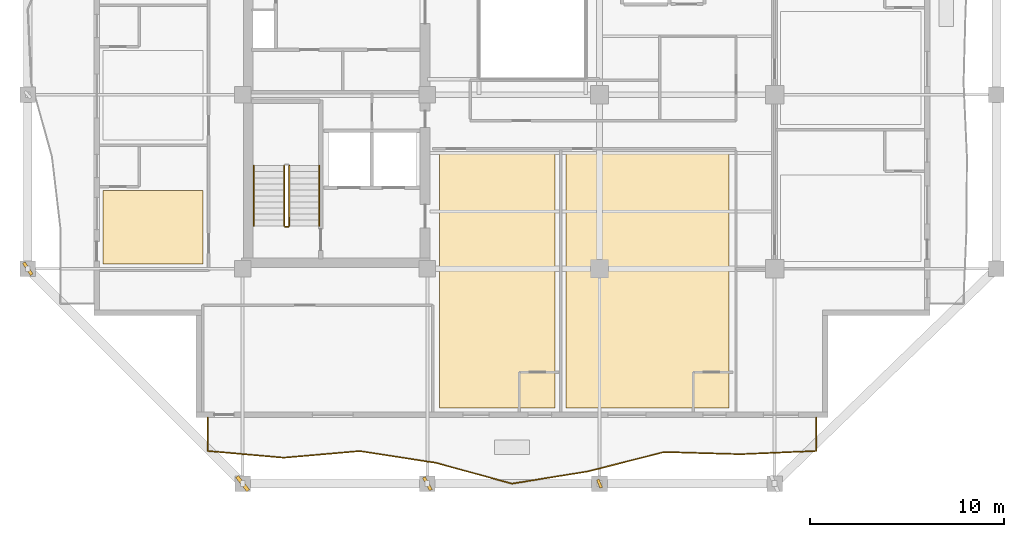
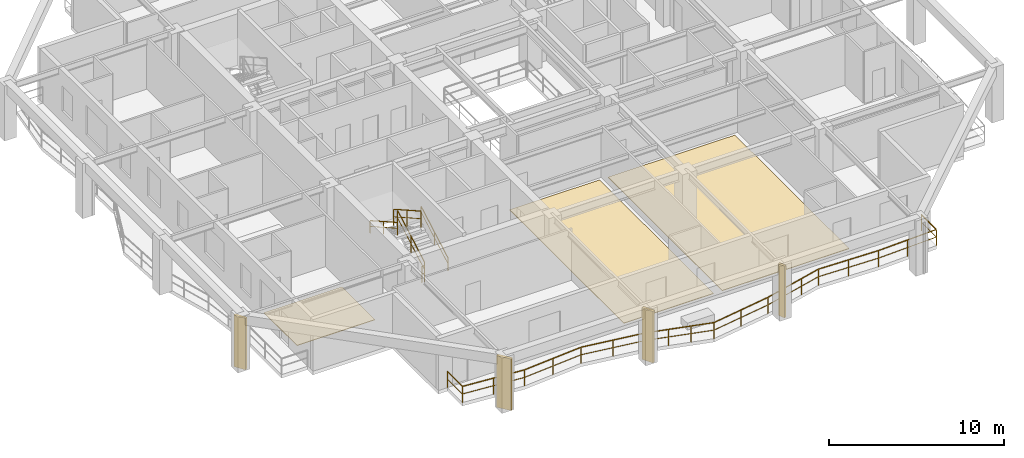
# One storey, part 8 of 13: 6 railings, 4 shading devices, 3 coverings.
"""IFC4 building model written with IfcOpenShell, lengths in metres."""

import ifcopenshell
import ifcopenshell.guid

model = None  # the IFC model being written
_history = None  # IfcOwnerHistory: only IFC2X3 demands one
_inside = {}  # id of a spatial element -> (the spatial element, [elements in it])
_under = {}  # id of a project, library or spatial element -> (it, [spatial elements below it])
_declared = {}  # id of a project -> (the project, [libraries it declares])
_typed = {}  # id of a type object -> (the type object, [elements of that type])
_made_of = {}  # id of a material, layer set ... -> (it, [elements and type objects made of it])


def new_model(schema):
    """Start an empty IFC model of exactly this schema.

    Asked for "IFC4X3", IfcOpenShell would pick the latest addendum, in which some entities
    have other attributes; the version numbers below select the first issue.
    IFC2X3 requires an IfcOwnerHistory on every rooted entity: one is made here for all.
    """
    global model, _history
    if schema == "IFC4X3":
        model = ifcopenshell.file(schema_version=(4, 3, 0, 0))
    else:
        model = ifcopenshell.file(schema=schema)
    _inside.clear()
    _under.clear()
    _declared.clear()
    _typed.clear()
    _made_of.clear()
    _history = None
    if model.schema == "IFC2X3":
        org = make("IfcOrganization", Name="unknown")
        user = make(
            "IfcPersonAndOrganization",
            ThePerson=make("IfcPerson", FamilyName="unknown"),
            TheOrganization=org,
        )
        app = make(
            "IfcApplication",
            ApplicationDeveloper=org,
            Version="unknown",
            ApplicationFullName="unknown",
            ApplicationIdentifier="unknown",
        )
        _history = make(
            "IfcOwnerHistory",
            OwningUser=user,
            OwningApplication=app,
            ChangeAction="ADDED",
            CreationDate=0,
        )
    return model


def make(cls, **values):
    """One entity of the class cls with the attributes given. An attribute that is None is left unset."""
    return model.create_entity(
        cls, **{name: value for name, value in values.items() if value is not None}
    )


def rooted(cls, **values):
    """An entity with a GlobalId (a new one), such as an element, a storey or a relation."""
    return make(cls, GlobalId=ifcopenshell.guid.new(), OwnerHistory=_history, **values)


def si_unit(unit_type, name, prefix=None):
    """IfcSIUnit, for example si_unit("LENGTHUNIT", "METRE", prefix="MILLI")."""
    return make("IfcSIUnit", UnitType=unit_type, Prefix=prefix, Name=name)


def assignment(units):
    """IfcUnitAssignment: the units of a project."""
    return None if units is None else make("IfcUnitAssignment", Units=units)


def point(xyz):
    """IfcCartesianPoint."""
    return None if xyz is None else make("IfcCartesianPoint", Coordinates=xyz)


def direction(xyz):
    """IfcDirection."""
    return None if xyz is None else make("IfcDirection", DirectionRatios=xyz)


def frame(location, z_axis=None, x_axis=None):
    """IfcAxis2Placement3D, a coordinate frame: its origin and axes. An axis left out is left unset."""
    return make(
        "IfcAxis2Placement3D",
        Location=point(location),
        Axis=direction(z_axis),
        RefDirection=direction(x_axis),
    )


def frame_2d(location, x_axis=None):
    """IfcAxis2Placement2D, a coordinate frame in the plane: its origin and x axis."""
    return make(
        "IfcAxis2Placement2D", Location=point(location), RefDirection=direction(x_axis)
    )


def origin():
    """The frame at (0, 0, 0) with its axes left unset."""
    return frame((0.0, 0.0, 0.0))


def origin_2d():
    """The frame at (0, 0) in the plane with its x axis left unset."""
    return frame_2d((0.0, 0.0))


def place(relative_to, where):
    """IfcLocalPlacement: puts the frame where relative to a parent placement (None: the world)."""
    return make(
        "IfcLocalPlacement", PlacementRelTo=relative_to, RelativePlacement=where
    )


def context(
    kind, dimensions, precision=None, world=None, true_north=None, identifier=None
):
    """IfcGeometricRepresentationContext, for example the 3D "Model" context."""
    return make(
        "IfcGeometricRepresentationContext",
        ContextIdentifier=identifier,
        ContextType=kind,
        CoordinateSpaceDimension=dimensions,
        Precision=precision,
        WorldCoordinateSystem=world,
        TrueNorth=true_north,
    )


def subcontext(parent, identifier, kind, view, scale=None):
    """IfcGeometricRepresentationSubContext, for example "Body" below "Model"."""
    return make(
        "IfcGeometricRepresentationSubContext",
        ContextIdentifier=identifier,
        ContextType=kind,
        ParentContext=parent,
        TargetScale=scale,
        TargetView=view,
    )


def project(units=None, contexts=None):
    """IfcProject with its units and contexts."""
    return rooted(
        "IfcProject",
        Name="project",
        RepresentationContexts=contexts,
        UnitsInContext=assignment(units),
    )


def spatial(cls, under=None, at=None, **own):
    """A site, building, storey or space (cls), placed at a placement, below another one or the project."""
    s = rooted(cls, ObjectPlacement=at, **own)
    if under is not None:
        _under.setdefault(under.id(), (under, []))[1].append(s)
    return s


def polyline(points):
    """IfcPolyline through the points."""
    return make("IfcPolyline", Points=[point(p) for p in points])


def profile(cls, at=None, kind="AREA", **sizes):
    """A parametric profile (cls). Its sizes go by their IFC names, for example OverallWidth=200.0."""
    return make(cls, ProfileType=kind, Position=at, **sizes)


def rectangle(**sizes):
    """IfcRectangleProfileDef."""
    return profile("IfcRectangleProfileDef", **sizes)


def outline(outer, holes=None, kind="AREA"):
    """IfcArbitraryClosedProfileDef: a profile drawn as a closed curve; with holes, ...WithVoids."""
    if holes is None:
        return make("IfcArbitraryClosedProfileDef", ProfileType=kind, OuterCurve=outer)
    return make(
        "IfcArbitraryProfileDefWithVoids",
        ProfileType=kind,
        OuterCurve=outer,
        InnerCurves=holes,
    )


def extrude(swept, where, along, depth):
    """IfcExtrudedAreaSolid: the profile swept, set in the frame where, extruded along a direction by depth."""
    return make(
        "IfcExtrudedAreaSolid",
        SweptArea=swept,
        Position=where,
        ExtrudedDirection=direction(along),
        Depth=depth,
    )


def shape(context_of_items, identifier, shape_type, items):
    """IfcShapeRepresentation: the items that make up one representation, for example the "Body"."""
    return make(
        "IfcShapeRepresentation",
        ContextOfItems=context_of_items,
        RepresentationIdentifier=identifier,
        RepresentationType=shape_type,
        Items=items,
    )


def material(Name=None, Category=None):
    """IfcMaterial."""
    return make("IfcMaterial", Name=Name, Category=Category)


def layer(
    of_material, thickness, ventilated=None, Name=None, Category=None, Priority=None
):
    """IfcMaterialLayer: one layer of a wall or slab, of a material (None: an air gap)."""
    return make(
        "IfcMaterialLayer",
        Material=of_material,
        LayerThickness=thickness,
        IsVentilated=ventilated,
        Name=Name,
        Category=Category,
        Priority=Priority,
    )


def layer_set(layers, Name=None):
    """IfcMaterialLayerSet."""
    return make("IfcMaterialLayerSet", MaterialLayers=layers, LayerSetName=Name)


def made_of(thing, what):
    """Note that an element or type object is made of a material, layer set ...; save() writes the relation."""
    if what is not None:
        _made_of.setdefault(what.id(), (what, []))[1].append(thing)
    return thing


def type_object(cls, material=None, **own):
    """A type object (cls), such as IfcWallType, which elements share."""
    return made_of(rooted(cls, **own), material)


def element(
    cls,
    number,
    at=None,
    inside=None,
    cuts=None,
    type_object=None,
    material=None,
    context=None,
    identifier="Body",
    shape_type=None,
    held_by="IfcProductDefinitionShape",
    body=None,
    shapes=None,
    **own,
):
    """One element of the class cls, such as IfcWall. Its Tag is "e" and its number.

    at: its placement. inside: the storey or other place that contains it. cuts: it is an
    opening in that element (IfcRelVoidsElement). A single representation is given by context,
    identifier, shape_type and body (its items); several are given by shapes. held_by: the class
    of the entity that holds the representations. save() writes the other relations.
    """
    e = rooted(cls, Tag="e%d" % number, ObjectPlacement=at, **own)
    if body is not None:
        shapes = [shape(context, identifier, shape_type, body)]
    if shapes is not None:
        e.Representation = make(held_by, Representations=shapes)
    if inside is not None:
        _inside.setdefault(inside.id(), (inside, []))[1].append(e)
    if cuts is not None:
        rooted(
            "IfcRelVoidsElement", RelatingBuildingElement=cuts, RelatedOpeningElement=e
        )
    if type_object is not None:
        _typed.setdefault(type_object.id(), (type_object, []))[1].append(e)
    return made_of(e, material)


def aggregate(whole, parts):
    """IfcRelAggregates: a whole, such as a stair, and the parts it consists of."""
    return rooted("IfcRelAggregates", RelatingObject=whole, RelatedObjects=parts)


def save(model, path):
    """Write the relations noted so far, then the file.

    IfcRelAggregates (storeys below a building ...), IfcRelContainedInSpatialStructure (elements
    in a storey), IfcRelDefinesByType, IfcRelAssociatesMaterial and IfcRelDeclares: one each for
    every whole, place, type object, material and project.
    """
    for whole, parts in _under.values():
        aggregate(whole, parts)
    for where, things in _inside.values():
        rooted(
            "IfcRelContainedInSpatialStructure",
            RelatedElements=things,
            RelatingStructure=where,
        )
    for kind, things in _typed.values():
        rooted("IfcRelDefinesByType", RelatedObjects=things, RelatingType=kind)
    for what, things in _made_of.values():
        rooted("IfcRelAssociatesMaterial", RelatedObjects=things, RelatingMaterial=what)
    for by, libraries in _declared.values():
        rooted("IfcRelDeclares", RelatingContext=by, RelatedDefinitions=libraries)
    model.write(path)


model = new_model("IFC4")

# Units and contexts
model_context = context("Model", 3, precision=1e-05, world=origin(), true_north=direction((0.0, 1.0)))
body_context = subcontext(model_context, "Body", "Model", "MODEL_VIEW")
ifc_project = project(units=[si_unit("LENGTHUNIT", "METRE"), si_unit("AREAUNIT", "SQUARE_METRE"), si_unit("VOLUMEUNIT", "CUBIC_METRE"), si_unit("PLANEANGLEUNIT", "RADIAN"), si_unit("MASSUNIT", "GRAM", prefix="KILO")], contexts=[model_context])

# Site, building, storey
site_placement = place(None, origin())
site = spatial("IfcSite", under=ifc_project, at=site_placement, CompositionType="ELEMENT")
building_placement = place(site_placement, origin())
building = spatial("IfcBuilding", under=site, at=building_placement, Name="Kundavana Baori Tower", CompositionType="ELEMENT")
storey_placement = place(building_placement, frame((0.0, 0.0, 165.60009765625)))
storey = spatial("IfcBuildingStorey", under=building, at=storey_placement, Name="L40", CompositionType="ELEMENT", Elevation=165.60009765625)

# Coverings
ifc_material_1 = material(Name="Honed Kota Stone and Terrazzo Flooring", Category="masonry")
ifc_layer = layer(ifc_material_1, 0.0400390625, Name="COV-FLR-TERR-40")
ifc_layer_set = layer_set([ifc_layer], Name="Honed Kota Stone and Terrazzo Flooring")
covering_type = type_object("IfcCoveringType", Name="COV-FLR-TERR-40", PredefinedType="FLOORING", material=ifc_layer_set)
covering_1_placement = place(storey_placement, origin())
element("IfcCovering", 1, at=covering_1_placement, inside=storey, type_object=covering_type, Name="L40 Room Finished Stone Flooring 1", PredefinedType="FLOORING", context=body_context, shape_type="SweptSolid", body=[
    extrude(outline(polyline([(8.280029296875, 15.5), (13.419921875, 15.5), (13.419921875, 19.27001953125), (8.280029296875, 19.27001953125), (8.280029296875, 15.5)])), origin(), (0.0, 0.0, 1.0), 0.039794921875),
])
covering_2_placement = place(storey_placement, origin())
element("IfcCovering", 2, at=covering_2_placement, inside=storey, type_object=covering_type, Name="L40 Room Finished Stone Flooring 5", PredefinedType="FLOORING", context=body_context, shape_type="SweptSolid", body=[
    extrude(outline(polyline([(25.580078125, 8.080078125), (31.52001953125, 8.080078125), (31.52001953125, 21.139892578125), (25.580078125, 21.139892578125), (25.580078125, 8.080078125)])), origin(), (0.0, 0.0, 1.0), 0.039794921875),
])
covering_3_placement = place(storey_placement, origin())
element("IfcCovering", 3, at=covering_3_placement, inside=storey, type_object=covering_type, Name="L40 Room Finished Stone Flooring 6", PredefinedType="FLOORING", context=body_context, shape_type="SweptSolid", body=[
    extrude(outline(polyline([(32.080078125, 8.080078125), (40.4599609375, 8.080078125), (40.4599609375, 21.139892578125), (32.080078125, 21.139892578125), (32.080078125, 8.080078125)])), origin(), (0.0, 0.0, 1.0), 0.039794921875),
])

# Railings
ifc_material_2 = material(Name="Architectural Patinated Bronze Metalwork")
railing_type_1 = type_object("IfcRailingType", Name="RL-BAL-1150", PredefinedType="BALUSTRADE", material=ifc_material_2)
railing_1_placement = place(storey_placement, frame((44.949951171875, 7.60009765625, 0.0)))
element("IfcRailing", 4, at=railing_1_placement, inside=storey, type_object=railing_type_1, Name="L40 Loggia Balcony Balustrade S", PredefinedType="BALUSTRADE", context=body_context, shape_type="SweptSolid", body=[
    extrude(rectangle(XDim=0.048095703125, YDim=0.048095703125, at=origin_2d()), frame((0.0, 0.0, 1.1259765625), z_axis=(0.0, -1.0, 0.0), x_axis=(1.0, 0.0, 0.0)), (0.0, 0.0, 1.0), 1.72021484375),
    extrude(rectangle(XDim=0.03125, YDim=0.03125, at=origin_2d()), frame((0.0, 0.0, 0.597900390625), z_axis=(0.0, -1.0, 0.0), x_axis=(1.0, 0.0, 0.0)), (0.0, 0.0, 1.0), 1.72021484375),
    extrude(rectangle(XDim=0.048095703125, YDim=0.048095703125, at=origin_2d()), frame((0.0, -1.72021484375, 1.1259765625), z_axis=(-0.999090083647, -0.042649792, 0.0), x_axis=(0.042649792, -0.999090083647, 0.0)), (0.0, 0.0, 1.0), 3.91552734375),
    extrude(rectangle(XDim=0.03125, YDim=0.03125, at=origin_2d()), frame((0.0, -1.72021484375, 0.597900390625), z_axis=(-0.999090083647, -0.042649792, 0.0), x_axis=(0.042649792, -0.999090083647, 0.0)), (0.0, 0.0, 1.0), 3.91552734375),
    extrude(rectangle(XDim=0.048095703125, YDim=0.048095703125, at=origin_2d()), frame((-3.911865234375, -1.88720703125, 1.1259765625), z_axis=(-0.999583033059, 0.028874902939, 0.0), x_axis=(-0.028874902939, -0.999583033059, 0.0)), (0.0, 0.0, 1.0), 3.914794921875),
    extrude(rectangle(XDim=0.03125, YDim=0.03125, at=origin_2d()), frame((-3.911865234375, -1.88720703125, 0.597900390625), z_axis=(-0.999583033059, 0.028874902939, 0.0), x_axis=(-0.028874902939, -0.999583033059, 0.0)), (0.0, 0.0, 1.0), 3.914794921875),
    extrude(rectangle(XDim=0.048095703125, YDim=0.048095703125, at=origin_2d()), frame((-7.824951171875, -1.774169921875, 1.1259765625), z_axis=(-0.969152617232, -0.246461365153, 0.0), x_axis=(0.246461365153, -0.969152617232, 0.0)), (0.0, 0.0, 1.0), 4.03662109375),
    extrude(rectangle(XDim=0.03125, YDim=0.03125, at=origin_2d()), frame((-7.824951171875, -1.774169921875, 0.597900390625), z_axis=(-0.969152617232, -0.246461365153, 0.0), x_axis=(0.246461365153, -0.969152617232, 0.0)), (0.0, 0.0, 1.0), 4.03662109375),
    extrude(rectangle(XDim=0.048095703125, YDim=0.048095703125, at=origin_2d()), frame((-11.737060546875, -2.76904296875, 1.1259765625), z_axis=(-0.987241120713, -0.159232438825, 0.0), x_axis=(0.159232438825, -0.987241120713, 0.0)), (0.0, 0.0, 1.0), 3.96337890625),
    extrude(rectangle(XDim=0.03125, YDim=0.03125, at=origin_2d()), frame((-11.737060546875, -2.76904296875, 0.597900390625), z_axis=(-0.987241120713, -0.159232438825, 0.0), x_axis=(0.159232438825, -0.987241120713, 0.0)), (0.0, 0.0, 1.0), 3.96337890625),
    extrude(rectangle(XDim=0.048095703125, YDim=0.048095703125, at=origin_2d()), frame((-15.64990234375, -3.400146484375, 1.1259765625), z_axis=(-0.964567688051, 0.263835507784, 0.0), x_axis=(-0.263835507784, -0.964567688051, 0.0)), (0.0, 0.0, 1.0), 4.055908203125),
    extrude(rectangle(XDim=0.03125, YDim=0.03125, at=origin_2d()), frame((-15.64990234375, -3.400146484375, 0.597900390625), z_axis=(-0.964567688051, 0.263835507784, 0.0), x_axis=(-0.263835507784, -0.964567688051, 0.0)), (0.0, 0.0, 1.0), 4.055908203125),
    extrude(rectangle(XDim=0.048095703125, YDim=0.048095703125, at=origin_2d()), frame((-19.56201171875, -2.330078125, 1.1259765625), z_axis=(-0.988294579625, 0.15255760841, 0.0), x_axis=(-0.15255760841, -0.988294579625, 0.0)), (0.0, 0.0, 1.0), 3.959228515625),
    extrude(rectangle(XDim=0.03125, YDim=0.03125, at=origin_2d()), frame((-19.56201171875, -2.330078125, 0.597900390625), z_axis=(-0.988294579625, 0.15255760841, 0.0), x_axis=(-0.15255760841, -0.988294579625, 0.0)), (0.0, 0.0, 1.0), 3.959228515625),
    extrude(rectangle(XDim=0.048095703125, YDim=0.048095703125, at=origin_2d()), frame((-23.474853515625, -1.72607421875, 1.1259765625), z_axis=(-0.996265968205, -0.086337249179, 0.0), x_axis=(0.086337249179, -0.996265968205, 0.0)), (0.0, 0.0, 1.0), 3.927734375),
    extrude(rectangle(XDim=0.03125, YDim=0.03125, at=origin_2d()), frame((-23.474853515625, -1.72607421875, 0.597900390625), z_axis=(-0.996265968205, -0.086337249179, 0.0), x_axis=(0.086337249179, -0.996265968205, 0.0)), (0.0, 0.0, 1.0), 3.927734375),
    extrude(rectangle(XDim=0.048095703125, YDim=0.048095703125, at=origin_2d()), frame((-27.387939453125, -2.065185546875, 1.1259765625), z_axis=(-0.996134650998, 0.087839382293, 0.0), x_axis=(-0.087839382293, -0.996134650998, 0.0)), (0.0, 0.0, 1.0), 3.92724609375),
    extrude(rectangle(XDim=0.03125, YDim=0.03125, at=origin_2d()), frame((-27.387939453125, -2.065185546875, 0.597900390625), z_axis=(-0.996134650998, 0.087839382293, 0.0), x_axis=(-0.087839382293, -0.996134650998, 0.0)), (0.0, 0.0, 1.0), 3.92724609375),
    extrude(rectangle(XDim=0.048095703125, YDim=0.048095703125, at=origin_2d()), frame((-31.300048828125, -1.72021484375, 1.1259765625), z_axis=(0.0, 1.0, 0.0), x_axis=(-1.0, 0.0, 0.0)), (0.0, 0.0, 1.0), 1.72021484375),
    extrude(rectangle(XDim=0.03125, YDim=0.03125, at=origin_2d()), frame((-31.300048828125, -1.72021484375, 0.597900390625), z_axis=(0.0, 1.0, 0.0), x_axis=(-1.0, 0.0, 0.0)), (0.0, 0.0, 1.0), 1.72021484375),
    extrude(rectangle(XDim=0.0419921875, YDim=0.0419921875, at=origin_2d()), origin(), (0.0, 0.0, 1.0), 1.101806640625),
    extrude(rectangle(XDim=0.0419921875, YDim=0.0419921875, at=origin_2d()), frame((0.0, -1.72021484375, 0.0)), (0.0, 0.0, 1.0), 1.101806640625),
    extrude(rectangle(XDim=0.0419921875, YDim=0.0419921875, at=origin_2d()), frame((-1.9560546875, -1.8037109375, 0.0)), (0.0, 0.0, 1.0), 1.101806640625),
    extrude(rectangle(XDim=0.0419921875, YDim=0.0419921875, at=origin_2d()), frame((-3.911865234375, -1.88720703125, 0.0)), (0.0, 0.0, 1.0), 1.101806640625),
    extrude(rectangle(XDim=0.0419921875, YDim=0.0419921875, at=origin_2d()), frame((-5.868408203125, -1.83056640625, 0.0)), (0.0, 0.0, 1.0), 1.101806640625),
    extrude(rectangle(XDim=0.0419921875, YDim=0.0419921875, at=origin_2d()), frame((-7.824951171875, -1.774169921875, 0.0)), (0.0, 0.0, 1.0), 1.101806640625),
    extrude(rectangle(XDim=0.0419921875, YDim=0.0419921875, at=origin_2d()), frame((-9.12890625, -2.105712890625, 0.0)), (0.0, 0.0, 1.0), 1.101806640625),
    extrude(rectangle(XDim=0.0419921875, YDim=0.0419921875, at=origin_2d()), frame((-10.43310546875, -2.4375, 0.0)), (0.0, 0.0, 1.0), 1.101806640625),
    extrude(rectangle(XDim=0.0419921875, YDim=0.0419921875, at=origin_2d()), frame((-11.737060546875, -2.76904296875, 0.0)), (0.0, 0.0, 1.0), 1.101806640625),
    extrude(rectangle(XDim=0.0419921875, YDim=0.0419921875, at=origin_2d()), frame((-13.693359375, -3.08447265625, 0.0)), (0.0, 0.0, 1.0), 1.101806640625),
    extrude(rectangle(XDim=0.0419921875, YDim=0.0419921875, at=origin_2d()), frame((-15.64990234375, -3.400146484375, 0.0)), (0.0, 0.0, 1.0), 1.101806640625),
    extrude(rectangle(XDim=0.0419921875, YDim=0.0419921875, at=origin_2d()), frame((-16.953857421875, -3.04345703125, 0.0)), (0.0, 0.0, 1.0), 1.101806640625),
    extrude(rectangle(XDim=0.0419921875, YDim=0.0419921875, at=origin_2d()), frame((-18.258056640625, -2.686767578125, 0.0)), (0.0, 0.0, 1.0), 1.101806640625),
    extrude(rectangle(XDim=0.0419921875, YDim=0.0419921875, at=origin_2d()), frame((-19.56201171875, -2.330078125, 0.0)), (0.0, 0.0, 1.0), 1.101806640625),
    extrude(rectangle(XDim=0.0419921875, YDim=0.0419921875, at=origin_2d()), frame((-21.5185546875, -2.028076171875, 0.0)), (0.0, 0.0, 1.0), 1.101806640625),
    extrude(rectangle(XDim=0.0419921875, YDim=0.0419921875, at=origin_2d()), frame((-23.474853515625, -1.72607421875, 0.0)), (0.0, 0.0, 1.0), 1.101806640625),
    extrude(rectangle(XDim=0.0419921875, YDim=0.0419921875, at=origin_2d()), frame((-25.431396484375, -1.8955078125, 0.0)), (0.0, 0.0, 1.0), 1.101806640625),
    extrude(rectangle(XDim=0.0419921875, YDim=0.0419921875, at=origin_2d()), frame((-27.387939453125, -2.065185546875, 0.0)), (0.0, 0.0, 1.0), 1.101806640625),
    extrude(rectangle(XDim=0.0419921875, YDim=0.0419921875, at=origin_2d()), frame((-29.343994140625, -1.892578125, 0.0)), (0.0, 0.0, 1.0), 1.101806640625),
    extrude(rectangle(XDim=0.0419921875, YDim=0.0419921875, at=origin_2d()), frame((-31.300048828125, -1.72021484375, 0.0)), (0.0, 0.0, 1.0), 1.101806640625),
    extrude(rectangle(XDim=0.0419921875, YDim=0.0419921875, at=origin_2d()), frame((-31.300048828125, 0.0, 0.0)), (0.0, 0.0, 1.0), 1.101806640625),
])
ifc_material_3 = material(Name="Architectural Patinated Bronze Metalwork")
railing_type_2 = type_object("IfcRailingType", Name="RL-GRD-1150", PredefinedType="GUARDRAIL", material=ifc_material_3)
railing_2_placement = place(storey_placement, frame((17.840087890625, 17.449951171875, 0.1748046875)))
element("IfcRailing", 5, at=railing_2_placement, inside=storey, type_object=railing_type_2, Name="L40 ST1 stair guard 1", PredefinedType="GUARDRAIL", context=body_context, shape_type="SweptSolid", body=[
    extrude(rectangle(XDim=0.048095703125, YDim=0.048095703125, at=origin_2d()), frame((0.0, 0.0, 1.1259765625), z_axis=(0.0, 0.870830938388, 0.491582624537), x_axis=(-1.0, 0.0, 0.0)), (0.0, 0.0, 1.0), 3.559814453125),
    extrude(rectangle(XDim=0.03125, YDim=0.03125, at=origin_2d()), frame((0.0, 0.0, 0.597900390625), z_axis=(0.0, 0.870830938388, 0.491582624537), x_axis=(-1.0, 0.0, 0.0)), (0.0, 0.0, 1.0), 3.559814453125),
    extrude(rectangle(XDim=0.0419921875, YDim=0.0419921875, at=origin_2d()), origin(), (0.0, 0.0, 1.0), 1.101806640625),
    extrude(rectangle(XDim=0.0419921875, YDim=0.0419921875, at=origin_2d()), frame((0.0, 1.550048828125, 0.875)), (0.0, 0.0, 1.0), 1.101806640625),
    extrude(rectangle(XDim=0.0419921875, YDim=0.0419921875, at=origin_2d()), frame((0.0, 3.10009765625, 1.75)), (0.0, 0.0, 1.0), 1.101806640625),
])
railing_3_placement = place(storey_placement, frame((17.580078125, 20.550048828125, 2.099853515625)))
element("IfcRailing", 6, at=railing_3_placement, inside=storey, type_object=railing_type_2, Name="L40 ST1 stair guard 3", PredefinedType="GUARDRAIL", context=body_context, shape_type="SweptSolid", body=[
    extrude(rectangle(XDim=0.048095703125, YDim=0.048095703125, at=origin_2d()), frame((0.0, 0.0, 1.1259765625), z_axis=(0.0, -0.870830938388, 0.491582624537), x_axis=(1.0, 0.0, 0.0)), (0.0, 0.0, 1.0), 3.559814453125),
    extrude(rectangle(XDim=0.03125, YDim=0.03125, at=origin_2d()), frame((0.0, 0.0, 0.597900390625), z_axis=(0.0, -0.870830938388, 0.491582624537), x_axis=(1.0, 0.0, 0.0)), (0.0, 0.0, 1.0), 3.559814453125),
    extrude(rectangle(XDim=0.0419921875, YDim=0.0419921875, at=origin_2d()), origin(), (0.0, 0.0, 1.0), 1.101806640625),
    extrude(rectangle(XDim=0.0419921875, YDim=0.0419921875, at=origin_2d()), frame((0.0, -1.550048828125, 0.875)), (0.0, 0.0, 1.0), 1.101806640625),
    extrude(rectangle(XDim=0.0419921875, YDim=0.0419921875, at=origin_2d()), frame((0.0, -3.10009765625, 1.75)), (0.0, 0.0, 1.0), 1.101806640625),
])
railing_4_placement = place(storey_placement, frame((17.7900390625, 17.39990234375, 0.0)))
element("IfcRailing", 7, at=railing_4_placement, inside=storey, type_object=railing_type_2, Name="L40 ST1 stair guard 4", PredefinedType="GUARDRAIL", context=body_context, shape_type="SweptSolid", body=[
    extrude(rectangle(XDim=0.048095703125, YDim=0.048095703125, at=origin_2d()), frame((0.0, 0.0, 1.1259765625), z_axis=(-1.0, 0.0, 0.0), x_axis=(0.0, -1.0, 0.0)), (0.0, 0.0, 1.0), 0.16015625),
    extrude(rectangle(XDim=0.03125, YDim=0.03125, at=origin_2d()), frame((0.0, 0.0, 0.597900390625), z_axis=(-1.0, 0.0, 0.0), x_axis=(0.0, -1.0, 0.0)), (0.0, 0.0, 1.0), 0.16015625),
    extrude(rectangle(XDim=0.0419921875, YDim=0.0419921875, at=origin_2d()), origin(), (0.0, 0.0, 1.0), 1.101806640625),
    extrude(rectangle(XDim=0.0419921875, YDim=0.0419921875, at=origin_2d()), frame((-0.16015625, 0.0, 0.0)), (0.0, 0.0, 1.0), 1.101806640625),
])
ifc_material_4 = material(Name="Architectural Patinated Bronze Metalwork")
railing_type_3 = type_object("IfcRailingType", Name="RL-HND-920", PredefinedType="HANDRAIL", material=ifc_material_4)
railing_5_placement = place(storey_placement, frame((19.389892578125, 17.449951171875, 0.1748046875)))
element("IfcRailing", 8, at=railing_5_placement, inside=storey, type_object=railing_type_3, Name="L40 ST1 stair handrail 1", PredefinedType="HANDRAIL", context=body_context, shape_type="SweptSolid", body=[
    extrude(rectangle(XDim=0.048095703125, YDim=0.048095703125, at=origin_2d()), frame((0.0, 0.0, 0.8759765625), z_axis=(0.0, 0.870830938388, 0.491582624537), x_axis=(-1.0, 0.0, 0.0)), (0.0, 0.0, 1.0), 3.559814453125),
    extrude(rectangle(XDim=0.03125, YDim=0.03125, at=origin_2d()), frame((0.0, 0.0, 0.468017578125), z_axis=(0.0, 0.870830938388, 0.491582624537), x_axis=(-1.0, 0.0, 0.0)), (0.0, 0.0, 1.0), 3.559814453125),
    extrude(rectangle(XDim=0.0419921875, YDim=0.0419921875, at=origin_2d()), origin(), (0.0, 0.0, 1.0), 0.851806640625),
    extrude(rectangle(XDim=0.0419921875, YDim=0.0419921875, at=origin_2d()), frame((0.0, 1.550048828125, 0.875)), (0.0, 0.0, 1.0), 0.851806640625),
    extrude(rectangle(XDim=0.0419921875, YDim=0.0419921875, at=origin_2d()), frame((0.0, 3.10009765625, 1.75)), (0.0, 0.0, 1.0), 0.851806640625),
])
railing_6_placement = place(storey_placement, frame((16.030029296875, 20.550048828125, 2.099853515625)))
element("IfcRailing", 9, at=railing_6_placement, inside=storey, type_object=railing_type_3, Name="L40 ST1 stair handrail 2", PredefinedType="HANDRAIL", context=body_context, shape_type="SweptSolid", body=[
    extrude(rectangle(XDim=0.048095703125, YDim=0.048095703125, at=origin_2d()), frame((0.0, 0.0, 0.8759765625), z_axis=(0.0, -0.870830938388, 0.491582624537), x_axis=(1.0, 0.0, 0.0)), (0.0, 0.0, 1.0), 3.559814453125),
    extrude(rectangle(XDim=0.03125, YDim=0.03125, at=origin_2d()), frame((0.0, 0.0, 0.468017578125), z_axis=(0.0, -0.870830938388, 0.491582624537), x_axis=(1.0, 0.0, 0.0)), (0.0, 0.0, 1.0), 3.559814453125),
    extrude(rectangle(XDim=0.0419921875, YDim=0.0419921875, at=origin_2d()), origin(), (0.0, 0.0, 1.0), 0.851806640625),
    extrude(rectangle(XDim=0.0419921875, YDim=0.0419921875, at=origin_2d()), frame((0.0, -1.550048828125, 0.875)), (0.0, 0.0, 1.0), 0.851806640625),
    extrude(rectangle(XDim=0.0419921875, YDim=0.0419921875, at=origin_2d()), frame((0.0, -3.10009765625, 1.75)), (0.0, 0.0, 1.0), 0.851806640625),
])

# Shading devices
ifc_material_5 = material(Name="Red-Buff Dholpur Sandstone Cladding on Concrete C40/50", Category="masonry")
shading_device_type_1 = type_object("IfcShadingDeviceType", Name="SHD-FIN-750", PredefinedType="JALOUSIE", material=ifc_material_5)
for number, where, z_axis, x_axis, name in (
    (10, (24.949951171875, 4.199951171875, -0.000244140625), (0.0, 0.0, 1.0), (0.873602406733, 0.486640354832, 0.0), "L40 Sweeping Dholpur Sandstone Facade Fin 2"),
    (11, (4.39990234375, 15.25, -0.000244140625), (0.0, 0.0, 1.0), (0.833885822067, 0.551936985312, 0.0), "L40 Sweeping Dholpur Sandstone Facade Fin 5"),
):
    element("IfcShadingDevice", number, at=place(storey_placement, frame(where, z_axis=z_axis, x_axis=x_axis)), inside=storey, type_object=shading_device_type_1, Name=name, PredefinedType="JALOUSIE", context=body_context, shape_type="SweptSolid", body=[
        extrude(rectangle(XDim=0.159912109375, YDim=0.75, at=origin_2d()), origin(), (0.0, 0.0, 1.0), 3.60009765625),
    ])
ifc_material_6 = material(Name="Red-Buff Dholpur Sandstone Cladding on Concrete C40/50", Category="masonry")
shading_device_type_2 = type_object("IfcShadingDeviceType", Name="SHD-FIN-920", PredefinedType="JALOUSIE", material=ifc_material_6)
shading_device_1_placement = place(storey_placement, frame((15.449951171875, 4.199951171875, -0.000244140625), z_axis=(0.0, 0.0, 1.0), x_axis=(0.782608156852, 0.622514636638, 0.0)))
element("IfcShadingDevice", 12, at=shading_device_1_placement, inside=storey, type_object=shading_device_type_2, Name="L40 Sweeping Dholpur Sandstone Facade Fin 1", PredefinedType="JALOUSIE", context=body_context, shape_type="SweptSolid", body=[
    extrude(rectangle(XDim=0.179931640625, YDim=0.919921875, at=origin_2d()), origin(), (0.0, 0.0, 1.0), 3.60009765625),
])
ifc_material_7 = material(Name="Architectural Patinated Bronze Metalwork")
shading_device_type_3 = type_object("IfcShadingDeviceType", Name="SHD-LOUV-450", PredefinedType="SHUTTER", material=ifc_material_7)
shading_device_2_placement = place(storey_placement, frame((33.800048828125, 4.199951171875, -0.000244140625), z_axis=(0.0, 0.0, 1.0), x_axis=(0.924612528858, 0.380909006823, 0.0)))
element("IfcShadingDevice", 13, at=shading_device_2_placement, inside=storey, type_object=shading_device_type_3, Name="L40 Sweeping Dholpur Sandstone Facade Fin 3", PredefinedType="SHUTTER", context=body_context, shape_type="SweptSolid", body=[
    extrude(rectangle(XDim=0.139892578125, YDim=0.449951171875, at=origin_2d()), origin(), (0.0, 0.0, 1.0), 3.60009765625),
])

save(model, "model.ifc")
